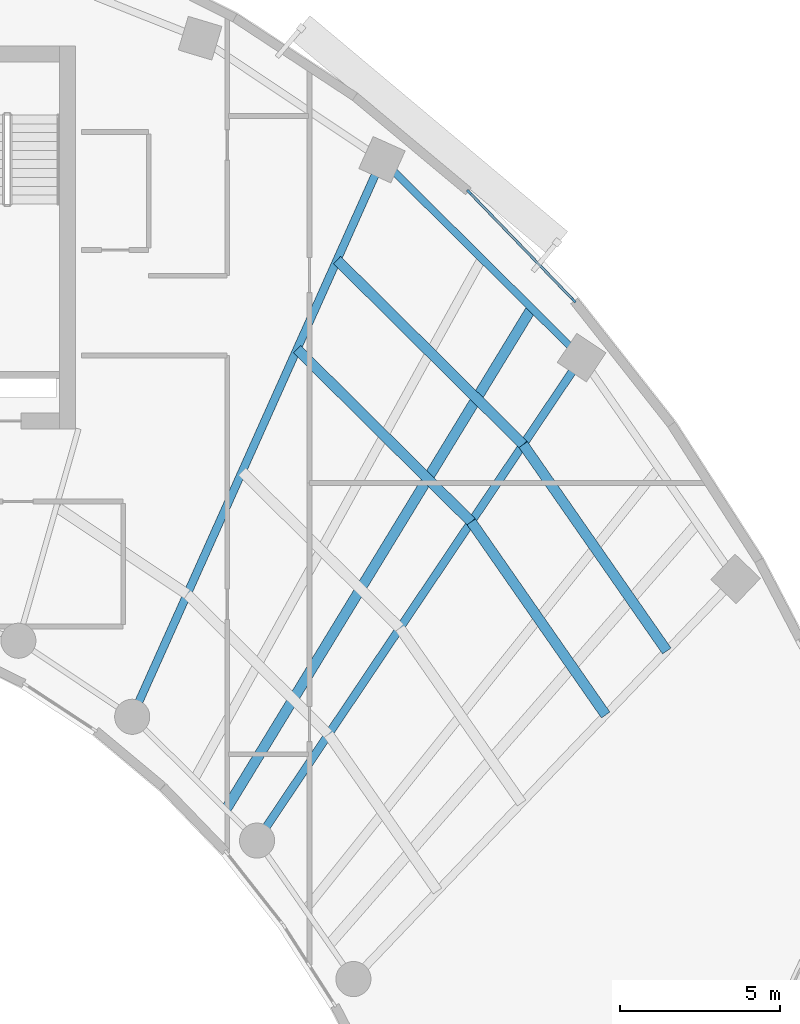
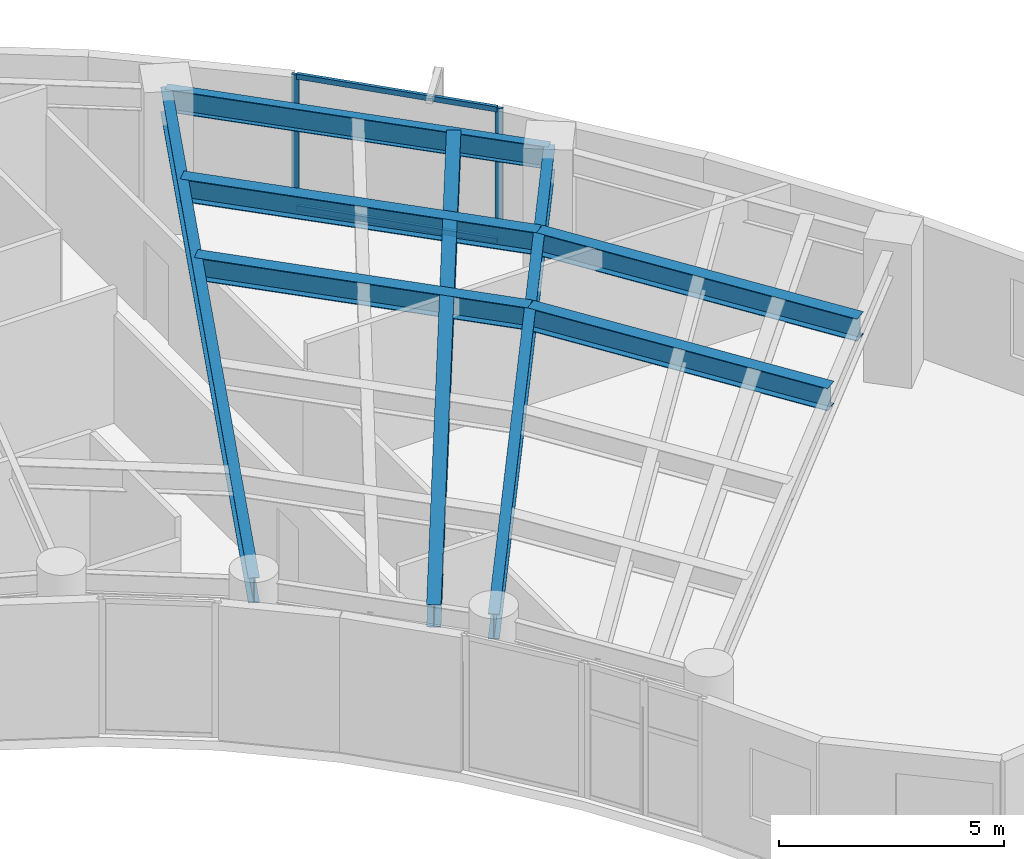
# One storey, part 4 of 13: 8 beams, 4 members, 1 element without a shape of its own.
"""IFC4 building model written with IfcOpenShell, lengths in metres."""

import ifcopenshell
import ifcopenshell.guid

model = None  # the IFC model being written
_history = None  # IfcOwnerHistory: only IFC2X3 demands one
_inside = {}  # id of a spatial element -> (the spatial element, [elements in it])
_under = {}  # id of a project, library or spatial element -> (it, [spatial elements below it])
_declared = {}  # id of a project -> (the project, [libraries it declares])
_typed = {}  # id of a type object -> (the type object, [elements of that type])
_made_of = {}  # id of a material, layer set ... -> (it, [elements and type objects made of it])


def new_model(schema):
    """Start an empty IFC model of exactly this schema.

    Asked for "IFC4X3", IfcOpenShell would pick the latest addendum, in which some entities
    have other attributes; the version numbers below select the first issue.
    IFC2X3 requires an IfcOwnerHistory on every rooted entity: one is made here for all.
    """
    global model, _history
    if schema == "IFC4X3":
        model = ifcopenshell.file(schema_version=(4, 3, 0, 0))
    else:
        model = ifcopenshell.file(schema=schema)
    _inside.clear()
    _under.clear()
    _declared.clear()
    _typed.clear()
    _made_of.clear()
    _history = None
    if model.schema == "IFC2X3":
        org = make("IfcOrganization", Name="unknown")
        user = make(
            "IfcPersonAndOrganization",
            ThePerson=make("IfcPerson", FamilyName="unknown"),
            TheOrganization=org,
        )
        app = make(
            "IfcApplication",
            ApplicationDeveloper=org,
            Version="unknown",
            ApplicationFullName="unknown",
            ApplicationIdentifier="unknown",
        )
        _history = make(
            "IfcOwnerHistory",
            OwningUser=user,
            OwningApplication=app,
            ChangeAction="ADDED",
            CreationDate=0,
        )
    return model


def make(cls, **values):
    """One entity of the class cls with the attributes given. An attribute that is None is left unset."""
    return model.create_entity(
        cls, **{name: value for name, value in values.items() if value is not None}
    )


def rooted(cls, **values):
    """An entity with a GlobalId (a new one), such as an element, a storey or a relation."""
    return make(cls, GlobalId=ifcopenshell.guid.new(), OwnerHistory=_history, **values)


def si_unit(unit_type, name, prefix=None):
    """IfcSIUnit, for example si_unit("LENGTHUNIT", "METRE", prefix="MILLI")."""
    return make("IfcSIUnit", UnitType=unit_type, Prefix=prefix, Name=name)


def assignment(units):
    """IfcUnitAssignment: the units of a project."""
    return None if units is None else make("IfcUnitAssignment", Units=units)


def point(xyz):
    """IfcCartesianPoint."""
    return None if xyz is None else make("IfcCartesianPoint", Coordinates=xyz)


def direction(xyz):
    """IfcDirection."""
    return None if xyz is None else make("IfcDirection", DirectionRatios=xyz)


def frame(location, z_axis=None, x_axis=None):
    """IfcAxis2Placement3D, a coordinate frame: its origin and axes. An axis left out is left unset."""
    return make(
        "IfcAxis2Placement3D",
        Location=point(location),
        Axis=direction(z_axis),
        RefDirection=direction(x_axis),
    )


def frame_2d(location, x_axis=None):
    """IfcAxis2Placement2D, a coordinate frame in the plane: its origin and x axis."""
    return make(
        "IfcAxis2Placement2D", Location=point(location), RefDirection=direction(x_axis)
    )


def origin():
    """The frame at (0, 0, 0) with its axes left unset."""
    return frame((0.0, 0.0, 0.0))


def origin_2d():
    """The frame at (0, 0) in the plane with its x axis left unset."""
    return frame_2d((0.0, 0.0))


def place(relative_to, where):
    """IfcLocalPlacement: puts the frame where relative to a parent placement (None: the world)."""
    return make(
        "IfcLocalPlacement", PlacementRelTo=relative_to, RelativePlacement=where
    )


def context(
    kind, dimensions, precision=None, world=None, true_north=None, identifier=None
):
    """IfcGeometricRepresentationContext, for example the 3D "Model" context."""
    return make(
        "IfcGeometricRepresentationContext",
        ContextIdentifier=identifier,
        ContextType=kind,
        CoordinateSpaceDimension=dimensions,
        Precision=precision,
        WorldCoordinateSystem=world,
        TrueNorth=true_north,
    )


def subcontext(parent, identifier, kind, view, scale=None):
    """IfcGeometricRepresentationSubContext, for example "Body" below "Model"."""
    return make(
        "IfcGeometricRepresentationSubContext",
        ContextIdentifier=identifier,
        ContextType=kind,
        ParentContext=parent,
        TargetScale=scale,
        TargetView=view,
    )


def project(units=None, contexts=None):
    """IfcProject with its units and contexts."""
    return rooted(
        "IfcProject",
        Name="project",
        RepresentationContexts=contexts,
        UnitsInContext=assignment(units),
    )


def spatial(cls, under=None, at=None, **own):
    """A site, building, storey or space (cls), placed at a placement, below another one or the project."""
    s = rooted(cls, ObjectPlacement=at, **own)
    if under is not None:
        _under.setdefault(under.id(), (under, []))[1].append(s)
    return s


def profile(cls, at=None, kind="AREA", **sizes):
    """A parametric profile (cls). Its sizes go by their IFC names, for example OverallWidth=200.0."""
    return make(cls, ProfileType=kind, Position=at, **sizes)


def rectangle(**sizes):
    """IfcRectangleProfileDef."""
    return profile("IfcRectangleProfileDef", **sizes)


def i_section(**sizes):
    """IfcIShapeProfileDef."""
    return profile("IfcIShapeProfileDef", **sizes)


def extrude(swept, where, along, depth):
    """IfcExtrudedAreaSolid: the profile swept, set in the frame where, extruded along a direction by depth."""
    return make(
        "IfcExtrudedAreaSolid",
        SweptArea=swept,
        Position=where,
        ExtrudedDirection=direction(along),
        Depth=depth,
    )


def shape(context_of_items, identifier, shape_type, items):
    """IfcShapeRepresentation: the items that make up one representation, for example the "Body"."""
    return make(
        "IfcShapeRepresentation",
        ContextOfItems=context_of_items,
        RepresentationIdentifier=identifier,
        RepresentationType=shape_type,
        Items=items,
    )


def source(mapping_origin, context_of_items, identifier, shape_type, items):
    """IfcRepresentationMap: a shape defined once, which mapped items show again and again."""
    return make(
        "IfcRepresentationMap",
        MappingOrigin=mapping_origin,
        MappedRepresentation=shape(context_of_items, identifier, shape_type, items),
    )


def transform(
    local_origin,
    x_axis=None,
    y_axis=None,
    z_axis=None,
    scale=None,
    scale2=None,
    scale3=None,
    uniform=True,
):
    """IfcCartesianTransformationOperator3D, or its non-uniform kind. x_axis, y_axis, z_axis: its Axis1, 2, 3."""
    if uniform:
        return make(
            "IfcCartesianTransformationOperator3D",
            Axis1=direction(x_axis),
            Axis2=direction(y_axis),
            LocalOrigin=point(local_origin),
            Scale=scale,
            Axis3=direction(z_axis),
        )
    return make(
        "IfcCartesianTransformationOperator3DnonUniform",
        Axis1=direction(x_axis),
        Axis2=direction(y_axis),
        LocalOrigin=point(local_origin),
        Scale=scale,
        Axis3=direction(z_axis),
        Scale2=scale2,
        Scale3=scale3,
    )


def mapped(mapping_source, mapping_target):
    """IfcMappedItem: shows the shape of a source again, moved by a transform."""
    return make(
        "IfcMappedItem", MappingSource=mapping_source, MappingTarget=mapping_target
    )


def material(Name=None, Category=None):
    """IfcMaterial."""
    return make("IfcMaterial", Name=Name, Category=Category)


def layer(
    of_material, thickness, ventilated=None, Name=None, Category=None, Priority=None
):
    """IfcMaterialLayer: one layer of a wall or slab, of a material (None: an air gap)."""
    return make(
        "IfcMaterialLayer",
        Material=of_material,
        LayerThickness=thickness,
        IsVentilated=ventilated,
        Name=Name,
        Category=Category,
        Priority=Priority,
    )


def layer_set(layers, Name=None):
    """IfcMaterialLayerSet."""
    return make("IfcMaterialLayerSet", MaterialLayers=layers, LayerSetName=Name)


def material_profile(
    of_material, cross_section, Name=None, Category=None, Priority=None
):
    """IfcMaterialProfile: a cross section and its material."""
    return make(
        "IfcMaterialProfile",
        Name=Name,
        Material=of_material,
        Profile=cross_section,
        Priority=Priority,
        Category=Category,
    )


def profile_set(profiles, Name=None, composite=None):
    """IfcMaterialProfileSet."""
    return make(
        "IfcMaterialProfileSet",
        Name=Name,
        MaterialProfiles=profiles,
        CompositeProfile=composite,
    )


def made_of(thing, what):
    """Note that an element or type object is made of a material, layer set ...; save() writes the relation."""
    if what is not None:
        _made_of.setdefault(what.id(), (what, []))[1].append(thing)
    return thing


def type_object(cls, material=None, **own):
    """A type object (cls), such as IfcWallType, which elements share."""
    return made_of(rooted(cls, **own), material)


def element(
    cls,
    number,
    at=None,
    inside=None,
    cuts=None,
    type_object=None,
    material=None,
    context=None,
    identifier="Body",
    shape_type=None,
    held_by="IfcProductDefinitionShape",
    body=None,
    shapes=None,
    **own,
):
    """One element of the class cls, such as IfcWall. Its Tag is "e" and its number.

    at: its placement. inside: the storey or other place that contains it. cuts: it is an
    opening in that element (IfcRelVoidsElement). A single representation is given by context,
    identifier, shape_type and body (its items); several are given by shapes. held_by: the class
    of the entity that holds the representations. save() writes the other relations.
    """
    e = rooted(cls, Tag="e%d" % number, ObjectPlacement=at, **own)
    if body is not None:
        shapes = [shape(context, identifier, shape_type, body)]
    if shapes is not None:
        e.Representation = make(held_by, Representations=shapes)
    if inside is not None:
        _inside.setdefault(inside.id(), (inside, []))[1].append(e)
    if cuts is not None:
        rooted(
            "IfcRelVoidsElement", RelatingBuildingElement=cuts, RelatedOpeningElement=e
        )
    if type_object is not None:
        _typed.setdefault(type_object.id(), (type_object, []))[1].append(e)
    return made_of(e, material)


def aggregate(whole, parts):
    """IfcRelAggregates: a whole, such as a stair, and the parts it consists of."""
    return rooted("IfcRelAggregates", RelatingObject=whole, RelatedObjects=parts)


def save(model, path):
    """Write the relations noted so far, then the file.

    IfcRelAggregates (storeys below a building ...), IfcRelContainedInSpatialStructure (elements
    in a storey), IfcRelDefinesByType, IfcRelAssociatesMaterial and IfcRelDeclares: one each for
    every whole, place, type object, material and project.
    """
    for whole, parts in _under.values():
        aggregate(whole, parts)
    for where, things in _inside.values():
        rooted(
            "IfcRelContainedInSpatialStructure",
            RelatedElements=things,
            RelatingStructure=where,
        )
    for kind, things in _typed.values():
        rooted("IfcRelDefinesByType", RelatedObjects=things, RelatingType=kind)
    for what, things in _made_of.values():
        rooted("IfcRelAssociatesMaterial", RelatedObjects=things, RelatingMaterial=what)
    for by, libraries in _declared.values():
        rooted("IfcRelDeclares", RelatingContext=by, RelatedDefinitions=libraries)
    model.write(path)


model = new_model("IFC4")

# Units and contexts
model_context = context("Model", 3, precision=1e-05, world=origin(), true_north=direction((0.0, 1.0)))
body_context = subcontext(model_context, "Body", "Model", "MODEL_VIEW")
ifc_project = project(units=[si_unit("LENGTHUNIT", "METRE"), si_unit("AREAUNIT", "SQUARE_METRE"), si_unit("VOLUMEUNIT", "CUBIC_METRE"), si_unit("PLANEANGLEUNIT", "RADIAN"), si_unit("MASSUNIT", "GRAM", prefix="KILO")], contexts=[model_context])

# Site, building, storey
site_placement = place(None, origin())
site = spatial("IfcSite", under=ifc_project, at=site_placement, CompositionType="ELEMENT")
building_placement = place(site_placement, origin())
building = spatial("IfcBuilding", under=site, at=building_placement, Name="Breltana Convention Tower", CompositionType="ELEMENT")
storey_placement = place(building_placement, frame((0.0, 0.0, 142.800048828125)))
storey = spatial("IfcBuildingStorey", under=building, at=storey_placement, Name="L34", CompositionType="ELEMENT", Elevation=142.800048828125)

# Beams
ifc_material_1 = material(Name="Steel ASTM A992 Grade 50", Category="steel")
ifc_material_profile_1 = material_profile(ifc_material_1, i_section(OverallWidth=0.25390625, OverallDepth=0.68798828125, WebThickness=0.01318359375, FlangeThickness=0.02099609375, at=origin_2d()), Name="W27X102")
ifc_profile_set_1 = profile_set([ifc_material_profile_1], Name="Steel ASTM A992 Grade 50")
beam_type_1 = type_object("IfcBeamType", Name="BM-RG-W27X102", PredefinedType="USERDEFINED", material=ifc_profile_set_1)
shared_shape_1 = source(origin(), body_context, "Body", "SweptSolid", [
    extrude(i_section(OverallWidth=0.25390625, OverallDepth=0.68798828125, WebThickness=0.01318359375, FlangeThickness=0.02099609375, at=origin_2d()), origin(), (0.0, 0.0, 1.0), 19.133544921875),
])
beam_1_placement = place(storey_placement, frame((61.08203125, 51.174560546875, 3.305908203125), z_axis=(0.409144564164, 0.912469575172, 0.0), x_axis=(-0.912469575172, 0.409144564164, 0.0)))
element("IfcBeam", 1, at=beam_1_placement, inside=storey, type_object=beam_type_1, Name="L34 Radial Floor Girder R09", ObjectType="GIRDER", PredefinedType="USERDEFINED", context=body_context, shape_type="MappedRepresentation", body=[
    mapped(shared_shape_1, transform((0.0, 0.0, 0.0), scale=1.0)),
])
shared_shape_2 = source(origin(), body_context, "Body", "SweptSolid", [
    extrude(i_section(OverallWidth=0.25390625, OverallDepth=0.68798828125, WebThickness=0.01318359375, FlangeThickness=0.02099609375, at=origin_2d()), origin(), (0.0, 0.0, 1.0), 18.236328125),
])
beam_2_placement = place(storey_placement, frame((64.995849609375, 47.293701171875, 3.305908203125), z_axis=(0.557730360975, 0.830022195153, 0.0), x_axis=(-0.830022195153, 0.557730360975, 0.0)))
element("IfcBeam", 2, at=beam_2_placement, inside=storey, type_object=beam_type_1, Name="L34 Radial Floor Girder R10", ObjectType="GIRDER", PredefinedType="USERDEFINED", context=body_context, shape_type="MappedRepresentation", body=[
    mapped(shared_shape_2, transform((0.0, 0.0, 0.0), scale=1.0)),
])
ifc_material_profile_2 = material_profile(ifc_material_1, i_section(OverallWidth=0.22802734375, OverallDepth=0.60791015625, WebThickness=0.01123046875, FlangeThickness=0.017333984375, at=origin_2d()), Name="W24X76")
ifc_profile_set_2 = profile_set([ifc_material_profile_2], Name="Steel ASTM A992 Grade 50")
beam_type_2 = type_object("IfcBeamType", Name="BM-SP-W24X76", PredefinedType="SPANDREL", material=ifc_profile_set_2)
shared_shape_3 = source(origin(), body_context, "Body", "SweptSolid", [
    extrude(i_section(OverallWidth=0.22802734375, OverallDepth=0.60791015625, WebThickness=0.01123046875, FlangeThickness=0.017333984375, at=origin_2d()), origin(), (0.0, 0.0, 1.0), 8.810302734375),
])
beam_3_placement = place(storey_placement, frame((68.910400390625, 68.63330078125, 3.345947265625), z_axis=(0.710120823582, -0.704079836322, 0.0), x_axis=(0.704079836322, 0.710120823582, 0.0)))
element("IfcBeam", 3, at=beam_3_placement, inside=storey, type_object=beam_type_2, Name="L34 Outer Spandrel Beam 09", PredefinedType="SPANDREL", context=body_context, shape_type="MappedRepresentation", body=[
    mapped(shared_shape_3, transform((0.0, 0.0, 0.0), scale=1.0)),
])
ifc_material_profile_3 = material_profile(ifc_material_1, i_section(OverallWidth=0.323974609375, OverallDepth=0.611083984375, WebThickness=0.0126953125, FlangeThickness=0.01904296875, at=origin_2d()), Name="W24X104")
ifc_profile_set_3 = profile_set([ifc_material_profile_3], Name="Steel ASTM A992 Grade 50")
beam_type_3 = type_object("IfcBeamType", Name="BM-JSG-01", PredefinedType="JOIST", material=ifc_profile_set_3)
shared_shape_4 = source(origin(), body_context, "Body", "SweptSolid", [
    extrude(i_section(OverallWidth=0.323974609375, OverallDepth=0.611083984375, WebThickness=0.0126953125, FlangeThickness=0.01904296875, at=origin_2d()), origin(), (0.0, 0.0, 1.0), 7.688720703125),
])
beam_4_placement = place(storey_placement, frame((66.248779296875, 62.697265625, 3.344482421875), z_axis=(0.710101109809, -0.704099718682, 0.0), x_axis=(0.704099718682, 0.710101109809, 0.0)))
element("IfcBeam", 4, at=beam_4_placement, inside=storey, type_object=beam_type_3, Name="L34 Composite Floor Joist 09.3", PredefinedType="JOIST", context=body_context, shape_type="MappedRepresentation", body=[
    mapped(shared_shape_4, transform((0.0, 0.0, 0.0), scale=1.0)),
])
shared_shape_5 = source(origin(), body_context, "Body", "SweptSolid", [
    extrude(i_section(OverallWidth=0.323974609375, OverallDepth=0.611083984375, WebThickness=0.0126953125, FlangeThickness=0.01904296875, at=origin_2d()), origin(), (0.0, 0.0, 1.0), 8.21630859375),
])
beam_5_placement = place(storey_placement, frame((67.50146484375, 65.49072265625, 3.344482421875), z_axis=(0.710101511063, -0.704099314008, 0.0), x_axis=(0.704099314008, 0.710101511063, 0.0)))
element("IfcBeam", 5, at=beam_5_placement, inside=storey, type_object=beam_type_3, Name="L34 Composite Floor Joist 09.4", PredefinedType="JOIST", context=body_context, shape_type="MappedRepresentation", body=[
    mapped(shared_shape_5, transform((0.0, 0.0, 0.0), scale=1.0)),
])
shared_shape_6 = source(origin(), body_context, "Body", "SweptSolid", [
    extrude(i_section(OverallWidth=0.323974609375, OverallDepth=0.611083984375, WebThickness=0.0126953125, FlangeThickness=0.01904296875, at=origin_2d()), origin(), (0.0, 0.0, 1.0), 18.409423828125),
])
beam_6_placement = place(storey_placement, frame((64.017333984375, 48.263916015625, 3.344482421875), z_axis=(0.520682167606, 0.853750596098, 0.0), x_axis=(-0.853750596098, 0.520682167606, 0.0)))
element("IfcBeam", 6, at=beam_6_placement, inside=storey, type_object=beam_type_3, Name="L34 Quarter-Bay Radial Trimmer 09", PredefinedType="JOIST", context=body_context, shape_type="MappedRepresentation", body=[
    mapped(shared_shape_6, transform((0.0, 0.0, 0.0), scale=1.0)),
])
shared_shape_7 = source(origin(), body_context, "Body", "SweptSolid", [
    extrude(i_section(OverallWidth=0.323974609375, OverallDepth=0.611083984375, WebThickness=0.0126953125, FlangeThickness=0.01904296875, at=origin_2d()), origin(), (0.0, 0.0, 1.0), 7.374267578125),
])
beam_7_placement = place(storey_placement, frame((71.70849609375, 57.28369140625, 3.344482421875), z_axis=(0.571229379406, -0.820790470281, 0.0), x_axis=(0.820790470281, 0.571229379406, 0.0)))
element("IfcBeam", 7, at=beam_7_placement, inside=storey, type_object=beam_type_3, Name="L34 Composite Floor Joist 10.3", PredefinedType="JOIST", context=body_context, shape_type="MappedRepresentation", body=[
    mapped(shared_shape_7, transform((0.0, 0.0, 0.0), scale=1.0)),
])
shared_shape_8 = source(origin(), body_context, "Body", "SweptSolid", [
    extrude(i_section(OverallWidth=0.323974609375, OverallDepth=0.611083984375, WebThickness=0.0126953125, FlangeThickness=0.01904296875, at=origin_2d()), origin(), (0.0, 0.0, 1.0), 7.88037109375),
])
beam_8_placement = place(storey_placement, frame((73.3359375, 59.70556640625, 3.344482421875), z_axis=(0.571197916304, -0.820812366141, 0.0), x_axis=(0.820812366141, 0.571197916304, 0.0)))
element("IfcBeam", 8, at=beam_8_placement, inside=storey, type_object=beam_type_3, Name="L34 Composite Floor Joist 10.4", PredefinedType="JOIST", context=body_context, shape_type="MappedRepresentation", body=[
    mapped(shared_shape_8, transform((0.0, 0.0, 0.0), scale=1.0)),
])

# Curtain wall, members
ifc_material_2 = material(Name="Aluminium Anodised Bronze Frame", Category="aluminium")
ifc_layer = layer(ifc_material_2, 0.2099609375, Name="Aluminium Anodised Bronze Frame")
ifc_layer_set = layer_set([ifc_layer], Name="Aluminium Anodised Bronze Frame")
curtain_wall_type = type_object("IfcCurtainWallType", Name="CW-SYS-3", PredefinedType="NOTDEFINED", material=ifc_layer_set)
curtain_wall_placement = place(storey_placement, origin())
curtain_wall = element("IfcCurtainWall", 9, at=curtain_wall_placement, inside=storey, type_object=curtain_wall_type, Name="L34 outer double-skin inner glazing 4", PredefinedType="NOTDEFINED")
ifc_material_3 = material(Name="Aluminium Anodised Bronze", Category="aluminium")
ifc_material_profile_4 = material_profile(ifc_material_3, rectangle(XDim=0.070068359375, YDim=0.175048828125, at=origin_2d()), Name="CWM-70X175")
ifc_profile_set_4 = profile_set([ifc_material_profile_4], Name="Aluminium Anodised Bronze")
member_type_1 = type_object("IfcMemberType", Name="CWM-175", PredefinedType="MULLION", material=ifc_profile_set_4)
shared_shape_9 = source(origin(), body_context, "Body", "SweptSolid", [
    extrude(rectangle(XDim=0.070068359375, YDim=0.175048828125, at=origin_2d()), origin(), (0.0, 0.0, 1.0), 3.64990234375),
])
member_1_placement = place(storey_placement, frame((71.643310546875, 67.616943359375, 0.0), z_axis=(0.0, 0.0, 1.0), x_axis=(0.719393523398, 0.694602734297, 0.0)))
member_1 = element("IfcMember", 10, at=member_1_placement, type_object=member_type_1, Name="CW-03 mullion 1", PredefinedType="MULLION", context=body_context, shape_type="MappedRepresentation", body=[
    mapped(shared_shape_9, transform((0.0, 0.0, 0.0), scale=1.0)),
])
member_2_placement = place(storey_placement, frame((74.912109375, 64.2314453125, 0.0), z_axis=(0.0, 0.0, 1.0), x_axis=(0.719393523398, 0.694602734297, 0.0)))
member_2 = element("IfcMember", 11, at=member_2_placement, type_object=member_type_1, Name="CW-03 mullion 2", PredefinedType="MULLION", context=body_context, shape_type="MappedRepresentation", body=[
    mapped(shared_shape_9, transform((0.0, 0.0, 0.0), scale=1.0)),
])
ifc_material_profile_5 = material_profile(ifc_material_3, rectangle(XDim=0.080078125, YDim=0.139892578125, at=origin_2d()), Name="CWT-80X140")
ifc_profile_set_5 = profile_set([ifc_material_profile_5], Name="Aluminium Anodised Bronze")
member_type_2 = type_object("IfcMemberType", Name="CWT-140", PredefinedType="USERDEFINED", material=ifc_profile_set_5)
shared_shape_10 = source(origin(), body_context, "Body", "SweptSolid", [
    extrude(rectangle(XDim=0.080078125, YDim=0.139892578125, at=origin_2d()), origin(), (0.0, 0.0, 1.0), 4.635986328125),
])
member_3_placement = place(storey_placement, frame((71.667724609375, 67.591796875, 0.0400390625), z_axis=(0.694569137919, -0.719425960506, 0.0), x_axis=(0.719425960506, 0.694569137919, 0.0)))
member_3 = element("IfcMember", 12, at=member_3_placement, type_object=member_type_2, Name="CW-03 transom 1.1", ObjectType="TRANSOM", PredefinedType="USERDEFINED", context=body_context, shape_type="MappedRepresentation", body=[
    mapped(shared_shape_10, transform((0.0, 0.0, 0.0), scale=1.0)),
])
member_4_placement = place(storey_placement, frame((71.667724609375, 67.591796875, 3.60986328125), z_axis=(0.694569137919, -0.719425960506, 0.0), x_axis=(0.719425960506, 0.694569137919, 0.0)))
member_4 = element("IfcMember", 13, at=member_4_placement, type_object=member_type_2, Name="CW-03 transom 1.2", ObjectType="TRANSOM", PredefinedType="USERDEFINED", context=body_context, shape_type="MappedRepresentation", body=[
    mapped(shared_shape_10, transform((0.0, 0.0, 0.0), scale=1.0)),
])
aggregate(curtain_wall, [member_1, member_2, member_3, member_4])

save(model, "model.ifc")
